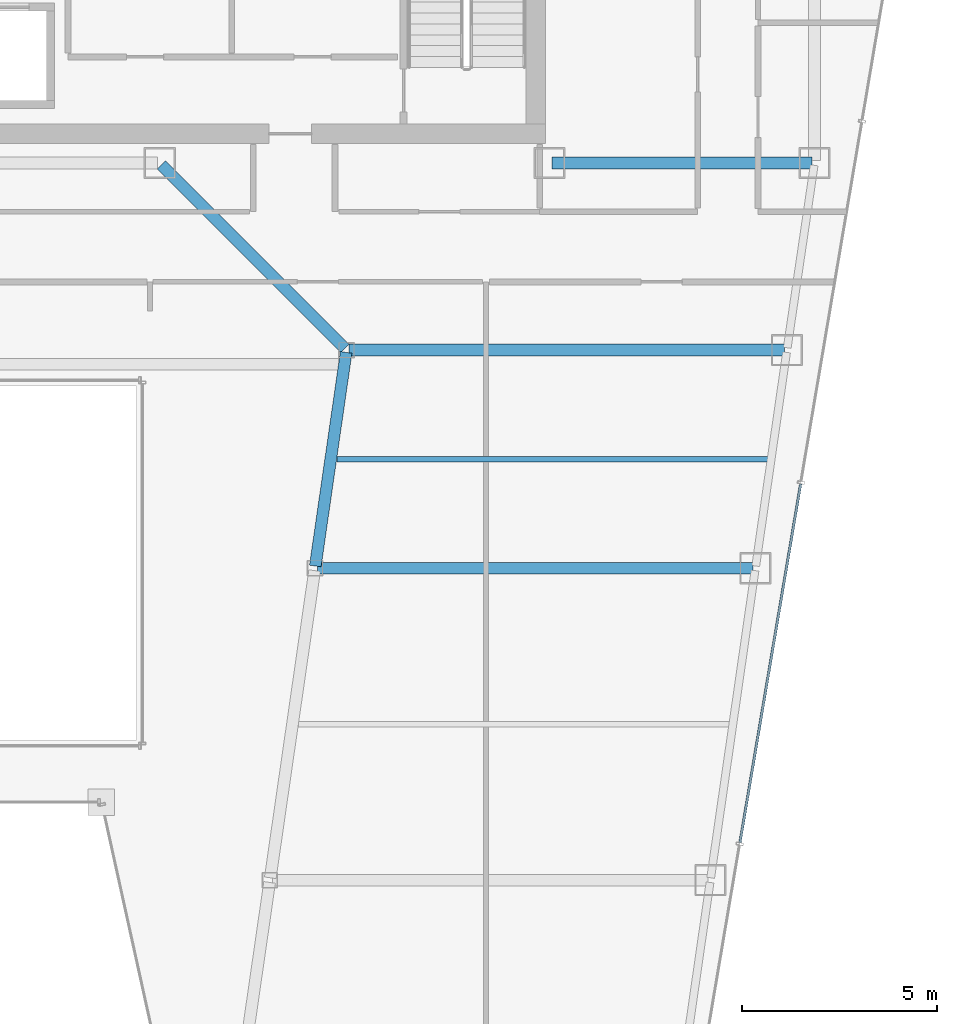
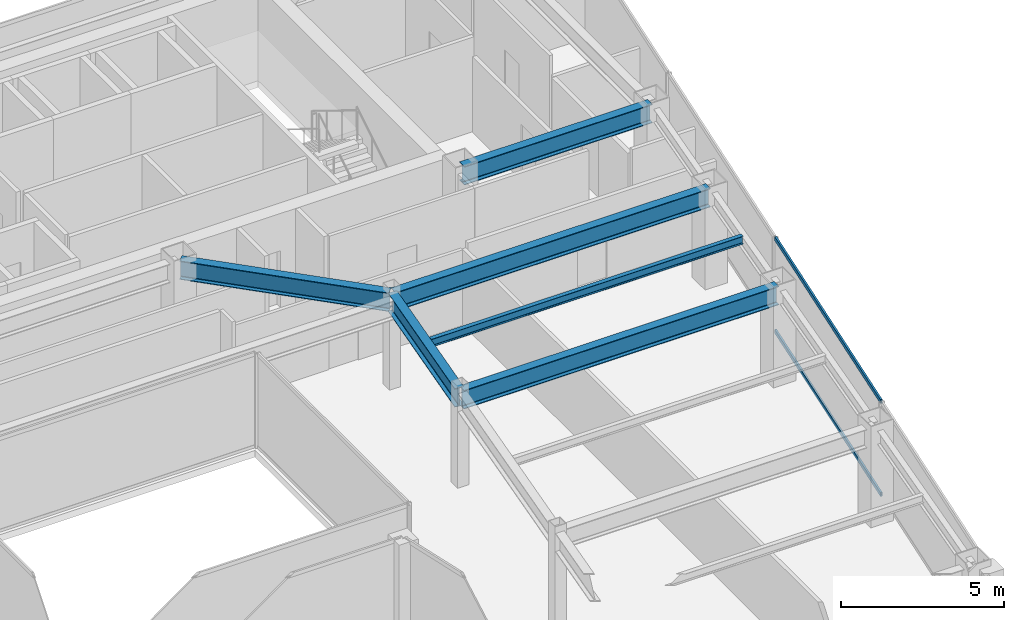
# One storey, part 21 of 35: 6 beams, 2 members, 1 element without a shape of its own.
"""IFC4 building model written with IfcOpenShell, lengths in metres."""

import ifcopenshell
import ifcopenshell.guid

model = None  # the IFC model being written
_history = None  # IfcOwnerHistory: only IFC2X3 demands one
_inside = {}  # id of a spatial element -> (the spatial element, [elements in it])
_under = {}  # id of a project, library or spatial element -> (it, [spatial elements below it])
_declared = {}  # id of a project -> (the project, [libraries it declares])
_typed = {}  # id of a type object -> (the type object, [elements of that type])
_made_of = {}  # id of a material, layer set ... -> (it, [elements and type objects made of it])


def new_model(schema):
    """Start an empty IFC model of exactly this schema.

    Asked for "IFC4X3", IfcOpenShell would pick the latest addendum, in which some entities
    have other attributes; the version numbers below select the first issue.
    IFC2X3 requires an IfcOwnerHistory on every rooted entity: one is made here for all.
    """
    global model, _history
    if schema == "IFC4X3":
        model = ifcopenshell.file(schema_version=(4, 3, 0, 0))
    else:
        model = ifcopenshell.file(schema=schema)
    _inside.clear()
    _under.clear()
    _declared.clear()
    _typed.clear()
    _made_of.clear()
    _history = None
    if model.schema == "IFC2X3":
        org = make("IfcOrganization", Name="unknown")
        user = make(
            "IfcPersonAndOrganization",
            ThePerson=make("IfcPerson", FamilyName="unknown"),
            TheOrganization=org,
        )
        app = make(
            "IfcApplication",
            ApplicationDeveloper=org,
            Version="unknown",
            ApplicationFullName="unknown",
            ApplicationIdentifier="unknown",
        )
        _history = make(
            "IfcOwnerHistory",
            OwningUser=user,
            OwningApplication=app,
            ChangeAction="ADDED",
            CreationDate=0,
        )
    return model


def make(cls, **values):
    """One entity of the class cls with the attributes given. An attribute that is None is left unset."""
    return model.create_entity(
        cls, **{name: value for name, value in values.items() if value is not None}
    )


def rooted(cls, **values):
    """An entity with a GlobalId (a new one), such as an element, a storey or a relation."""
    return make(cls, GlobalId=ifcopenshell.guid.new(), OwnerHistory=_history, **values)


def si_unit(unit_type, name, prefix=None):
    """IfcSIUnit, for example si_unit("LENGTHUNIT", "METRE", prefix="MILLI")."""
    return make("IfcSIUnit", UnitType=unit_type, Prefix=prefix, Name=name)


def assignment(units):
    """IfcUnitAssignment: the units of a project."""
    return None if units is None else make("IfcUnitAssignment", Units=units)


def point(xyz):
    """IfcCartesianPoint."""
    return None if xyz is None else make("IfcCartesianPoint", Coordinates=xyz)


def direction(xyz):
    """IfcDirection."""
    return None if xyz is None else make("IfcDirection", DirectionRatios=xyz)


def frame(location, z_axis=None, x_axis=None):
    """IfcAxis2Placement3D, a coordinate frame: its origin and axes. An axis left out is left unset."""
    return make(
        "IfcAxis2Placement3D",
        Location=point(location),
        Axis=direction(z_axis),
        RefDirection=direction(x_axis),
    )


def frame_2d(location, x_axis=None):
    """IfcAxis2Placement2D, a coordinate frame in the plane: its origin and x axis."""
    return make(
        "IfcAxis2Placement2D", Location=point(location), RefDirection=direction(x_axis)
    )


def origin():
    """The frame at (0, 0, 0) with its axes left unset."""
    return frame((0.0, 0.0, 0.0))


def origin_2d():
    """The frame at (0, 0) in the plane with its x axis left unset."""
    return frame_2d((0.0, 0.0))


def place(relative_to, where):
    """IfcLocalPlacement: puts the frame where relative to a parent placement (None: the world)."""
    return make(
        "IfcLocalPlacement", PlacementRelTo=relative_to, RelativePlacement=where
    )


def context(
    kind, dimensions, precision=None, world=None, true_north=None, identifier=None
):
    """IfcGeometricRepresentationContext, for example the 3D "Model" context."""
    return make(
        "IfcGeometricRepresentationContext",
        ContextIdentifier=identifier,
        ContextType=kind,
        CoordinateSpaceDimension=dimensions,
        Precision=precision,
        WorldCoordinateSystem=world,
        TrueNorth=true_north,
    )


def subcontext(parent, identifier, kind, view, scale=None):
    """IfcGeometricRepresentationSubContext, for example "Body" below "Model"."""
    return make(
        "IfcGeometricRepresentationSubContext",
        ContextIdentifier=identifier,
        ContextType=kind,
        ParentContext=parent,
        TargetScale=scale,
        TargetView=view,
    )


def project(units=None, contexts=None):
    """IfcProject with its units and contexts."""
    return rooted(
        "IfcProject",
        Name="project",
        RepresentationContexts=contexts,
        UnitsInContext=assignment(units),
    )


def spatial(cls, under=None, at=None, **own):
    """A site, building, storey or space (cls), placed at a placement, below another one or the project."""
    s = rooted(cls, ObjectPlacement=at, **own)
    if under is not None:
        _under.setdefault(under.id(), (under, []))[1].append(s)
    return s


def profile(cls, at=None, kind="AREA", **sizes):
    """A parametric profile (cls). Its sizes go by their IFC names, for example OverallWidth=200.0."""
    return make(cls, ProfileType=kind, Position=at, **sizes)


def hollow_rectangle(**sizes):
    """IfcRectangleHollowProfileDef."""
    return profile("IfcRectangleHollowProfileDef", **sizes)


def i_section(**sizes):
    """IfcIShapeProfileDef."""
    return profile("IfcIShapeProfileDef", **sizes)


def extrude(swept, where, along, depth):
    """IfcExtrudedAreaSolid: the profile swept, set in the frame where, extruded along a direction by depth."""
    return make(
        "IfcExtrudedAreaSolid",
        SweptArea=swept,
        Position=where,
        ExtrudedDirection=direction(along),
        Depth=depth,
    )


def shape(context_of_items, identifier, shape_type, items):
    """IfcShapeRepresentation: the items that make up one representation, for example the "Body"."""
    return make(
        "IfcShapeRepresentation",
        ContextOfItems=context_of_items,
        RepresentationIdentifier=identifier,
        RepresentationType=shape_type,
        Items=items,
    )


def material(Name=None, Category=None):
    """IfcMaterial."""
    return make("IfcMaterial", Name=Name, Category=Category)


def material_profile(
    of_material, cross_section, Name=None, Category=None, Priority=None
):
    """IfcMaterialProfile: a cross section and its material."""
    return make(
        "IfcMaterialProfile",
        Name=Name,
        Material=of_material,
        Profile=cross_section,
        Priority=Priority,
        Category=Category,
    )


def profile_set(profiles, Name=None, composite=None):
    """IfcMaterialProfileSet."""
    return make(
        "IfcMaterialProfileSet",
        Name=Name,
        MaterialProfiles=profiles,
        CompositeProfile=composite,
    )


def made_of(thing, what):
    """Note that an element or type object is made of a material, layer set ...; save() writes the relation."""
    if what is not None:
        _made_of.setdefault(what.id(), (what, []))[1].append(thing)
    return thing


def type_object(cls, material=None, **own):
    """A type object (cls), such as IfcWallType, which elements share."""
    return made_of(rooted(cls, **own), material)


def element(
    cls,
    number,
    at=None,
    inside=None,
    cuts=None,
    type_object=None,
    material=None,
    context=None,
    identifier="Body",
    shape_type=None,
    held_by="IfcProductDefinitionShape",
    body=None,
    shapes=None,
    **own,
):
    """One element of the class cls, such as IfcWall. Its Tag is "e" and its number.

    at: its placement. inside: the storey or other place that contains it. cuts: it is an
    opening in that element (IfcRelVoidsElement). A single representation is given by context,
    identifier, shape_type and body (its items); several are given by shapes. held_by: the class
    of the entity that holds the representations. save() writes the other relations.
    """
    e = rooted(cls, Tag="e%d" % number, ObjectPlacement=at, **own)
    if body is not None:
        shapes = [shape(context, identifier, shape_type, body)]
    if shapes is not None:
        e.Representation = make(held_by, Representations=shapes)
    if inside is not None:
        _inside.setdefault(inside.id(), (inside, []))[1].append(e)
    if cuts is not None:
        rooted(
            "IfcRelVoidsElement", RelatingBuildingElement=cuts, RelatedOpeningElement=e
        )
    if type_object is not None:
        _typed.setdefault(type_object.id(), (type_object, []))[1].append(e)
    return made_of(e, material)


def aggregate(whole, parts):
    """IfcRelAggregates: a whole, such as a stair, and the parts it consists of."""
    return rooted("IfcRelAggregates", RelatingObject=whole, RelatedObjects=parts)


def save(model, path):
    """Write the relations noted so far, then the file.

    IfcRelAggregates (storeys below a building ...), IfcRelContainedInSpatialStructure (elements
    in a storey), IfcRelDefinesByType, IfcRelAssociatesMaterial and IfcRelDeclares: one each for
    every whole, place, type object, material and project.
    """
    for whole, parts in _under.values():
        aggregate(whole, parts)
    for where, things in _inside.values():
        rooted(
            "IfcRelContainedInSpatialStructure",
            RelatedElements=things,
            RelatingStructure=where,
        )
    for kind, things in _typed.values():
        rooted("IfcRelDefinesByType", RelatedObjects=things, RelatingType=kind)
    for what, things in _made_of.values():
        rooted("IfcRelAssociatesMaterial", RelatedObjects=things, RelatingMaterial=what)
    for by, libraries in _declared.values():
        rooted("IfcRelDeclares", RelatingContext=by, RelatedDefinitions=libraries)
    model.write(path)


model = new_model("IFC4")

# Units and contexts
model_context = context("Model", 3, precision=1e-05, world=origin(), true_north=direction((0.0, 1.0)))
body_context = subcontext(model_context, "Body", "Model", "MODEL_VIEW")
ifc_project = project(units=[si_unit("LENGTHUNIT", "METRE"), si_unit("AREAUNIT", "SQUARE_METRE"), si_unit("VOLUMEUNIT", "CUBIC_METRE"), si_unit("PLANEANGLEUNIT", "RADIAN"), si_unit("MASSUNIT", "GRAM", prefix="KILO")], contexts=[model_context])

# Site, building, storey
site_placement = place(None, origin())
site = spatial("IfcSite", under=ifc_project, at=site_placement, CompositionType="ELEMENT")
building_placement = place(site_placement, origin())
building = spatial("IfcBuilding", under=site, at=building_placement, Name="Saevonmaru Cultural Tower", CompositionType="ELEMENT")
storey_placement = place(building_placement, frame((0.0, 0.0, 190.39990234375)))
storey = spatial("IfcBuildingStorey", under=building, at=storey_placement, Name="L43", CompositionType="ELEMENT", Elevation=190.39990234375)

# Beams
ifc_material_1 = material(Name="Steel SM355", Category="steel")
ifc_material_profile_1 = material_profile(ifc_material_1, i_section(OverallWidth=0.300048828125, OverallDepth=0.699951171875, WebThickness=0.012939453125, FlangeThickness=0.02392578125, FilletRadius=0.02587890625, at=origin_2d()), Name="H-700x300x13x24")
ifc_profile_set_1 = profile_set([ifc_material_profile_1], Name="Steel SM355")
beam_type_1 = type_object("IfcBeamType", Name="BM-G-H700", PredefinedType="BEAM", material=ifc_profile_set_1)
beam_1_placement = place(storey_placement, frame((46.4599609375, 42.39990234375, 3.2001953125), z_axis=(1.0, 0.0, 0.0), x_axis=(0.0, 1.0, 0.0)))
element("IfcBeam", 1, at=beam_1_placement, inside=storey, type_object=beam_type_1, Name="L43 Core South Girder 5", PredefinedType="BEAM", context=body_context, shape_type="SweptSolid", body=[
    extrude(i_section(OverallWidth=0.300048828125, OverallDepth=0.699951171875, WebThickness=0.012939453125, FlangeThickness=0.02392578125, FilletRadius=0.02587890625, at=origin_2d()), origin(), (0.0, 0.0, 1.0), 6.679931640625),
])
beam_2_placement = place(storey_placement, frame((40.3916015625, 32.059326171875, 3.2001953125), z_axis=(0.142964121327, 0.989727871697, 0.0), x_axis=(-0.989727871697, 0.142964121327, 0.0)))
element("IfcBeam", 2, at=beam_2_placement, inside=storey, type_object=beam_type_1, Name="L43 East Atrium Girder 3", PredefinedType="BEAM", context=body_context, shape_type="SweptSolid", body=[
    extrude(i_section(OverallWidth=0.300048828125, OverallDepth=0.699951171875, WebThickness=0.012939453125, FlangeThickness=0.02392578125, FilletRadius=0.02587890625, at=origin_2d()), origin(), (0.0, 0.0, 1.0), 5.5380859375),
])
beam_3_placement = place(storey_placement, frame((41.149658203125, 37.642578125, 3.2001953125), z_axis=(-0.706538566564, 0.707674539572, 0.0), x_axis=(-0.707674539572, -0.706538566564, 0.0)))
element("IfcBeam", 3, at=beam_3_placement, inside=storey, type_object=beam_type_1, Name="L43 East Atrium Girder 4", PredefinedType="BEAM", context=body_context, shape_type="SweptSolid", body=[
    extrude(i_section(OverallWidth=0.300048828125, OverallDepth=0.699951171875, WebThickness=0.012939453125, FlangeThickness=0.02392578125, FilletRadius=0.02587890625, at=origin_2d()), origin(), (0.0, 0.0, 1.0), 6.662353515625),
])
for number, where, z_axis, x_axis, name in (
    (4, (40.443115234375, 32.0, 3.2001953125), (1.0, 0.0, 0.0), (0.0, 1.0, 0.0), "L43 East Wing Transverse Girder 3"),
    (5, (41.251953125, 37.60009765625, 3.2001953125), (1.0, 0.0, 0.0), (0.0, 1.0, 0.0), "L43 East Wing Transverse Girder 4"),
):
    element("IfcBeam", number, at=place(storey_placement, frame(where, z_axis=z_axis, x_axis=x_axis)), inside=storey, type_object=beam_type_1, Name=name, PredefinedType="BEAM", context=body_context, shape_type="SweptSolid", body=[
        extrude(i_section(OverallWidth=0.300048828125, OverallDepth=0.699951171875, WebThickness=0.012939453125, FlangeThickness=0.02392578125, FilletRadius=0.02587890625, at=origin_2d()), origin(), (0.0, 0.0, 1.0), 11.179931640625),
    ])
ifc_material_profile_2 = material_profile(ifc_material_1, i_section(OverallWidth=0.14990234375, OverallDepth=0.300048828125, WebThickness=0.006591796875, FlangeThickness=0.009033203125, FilletRadius=0.012939453125, at=origin_2d()), Name="H-300x150x6.5x9")
ifc_profile_set_2 = profile_set([ifc_material_profile_2], Name="Steel SM355")
beam_type_2 = type_object("IfcBeamType", Name="BM-J-H300", PredefinedType="JOIST", material=ifc_profile_set_2)
beam_4_placement = place(storey_placement, frame((40.945556640625, 34.800048828125, 3.400146484375), z_axis=(1.0, 0.0, 0.0), x_axis=(0.0, 1.0, 0.0)))
element("IfcBeam", 6, at=beam_4_placement, inside=storey, type_object=beam_type_2, Name="L43 East Wing Floor Joist 3", PredefinedType="JOIST", context=body_context, shape_type="SweptSolid", body=[
    extrude(i_section(OverallWidth=0.14990234375, OverallDepth=0.300048828125, WebThickness=0.006591796875, FlangeThickness=0.009033203125, FilletRadius=0.012939453125, at=origin_2d()), origin(), (0.0, 0.0, 1.0), 11.08203125),
])

# Curtain wall, members
ifc_material_2 = material(Name="Satin Bronze Anodised Aluminium", Category="aluminium")
curtain_wall_type = type_object("IfcCurtainWallType", Name="CW-TYP-B", PredefinedType="NOTDEFINED", material=ifc_material_2)
curtain_wall_placement = place(storey_placement, origin())
curtain_wall = element("IfcCurtainWall", 7, at=curtain_wall_placement, inside=storey, type_object=curtain_wall_type, Name="L43 Unitised Curtain Wall E8", PredefinedType="NOTDEFINED")
ifc_material_profile_3 = material_profile(ifc_material_2, hollow_rectangle(XDim=0.06494140625, YDim=0.14990234375, WallThickness=0.00390625, at=origin_2d()), Name="ALU-TRAN-150x65x4")
ifc_profile_set_3 = profile_set([ifc_material_profile_3], Name="Satin Bronze Anodised Aluminium")
member_type = type_object("IfcMemberType", Name="TR-CW-150x65", PredefinedType="USERDEFINED", material=ifc_profile_set_3)
member_1_placement = place(storey_placement, frame((51.287109375, 24.961669921875, 0.03271484375), z_axis=(0.166921263871, 0.985970228591, 0.0), x_axis=(-0.985970228591, 0.166921263871, 0.0)))
member_1 = element("IfcMember", 8, at=member_1_placement, type_object=member_type, Name="CW-TW-L43-E8 transom 2.1", ObjectType="TRANSOM", PredefinedType="USERDEFINED", context=body_context, shape_type="SweptSolid", body=[
    extrude(hollow_rectangle(XDim=0.06494140625, YDim=0.14990234375, WallThickness=0.00390625, at=origin_2d()), origin(), (0.0, 0.0, 1.0), 9.33740234375),
])
member_2_placement = place(storey_placement, frame((51.287109375, 24.961669921875, 3.517578125), z_axis=(0.166921263871, 0.985970228591, 0.0), x_axis=(-0.985970228591, 0.166921263871, 0.0)))
member_2 = element("IfcMember", 9, at=member_2_placement, type_object=member_type, Name="CW-TW-L43-E8 transom 2.2", ObjectType="TRANSOM", PredefinedType="USERDEFINED", context=body_context, shape_type="SweptSolid", body=[
    extrude(hollow_rectangle(XDim=0.06494140625, YDim=0.14990234375, WallThickness=0.00390625, at=origin_2d()), origin(), (0.0, 0.0, 1.0), 9.33740234375),
])
aggregate(curtain_wall, [member_1, member_2])

save(model, "model.ifc")
